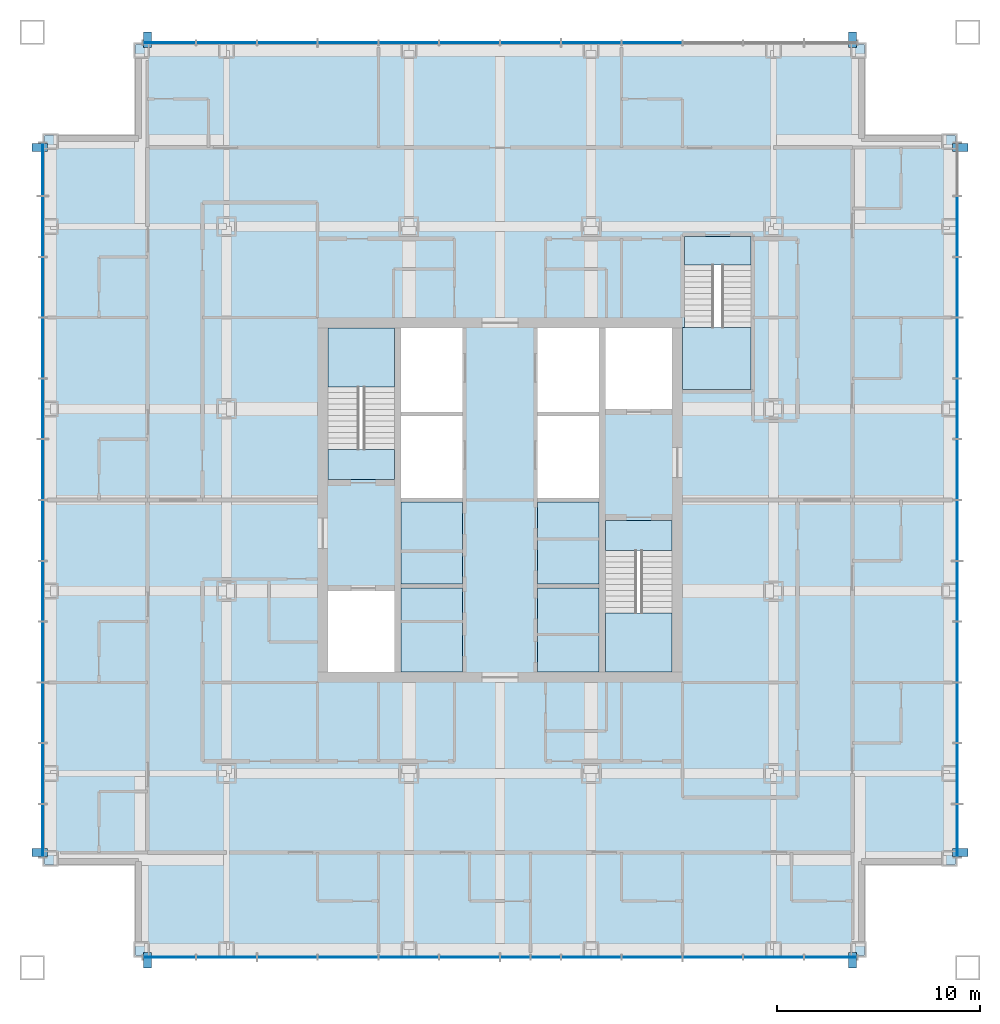
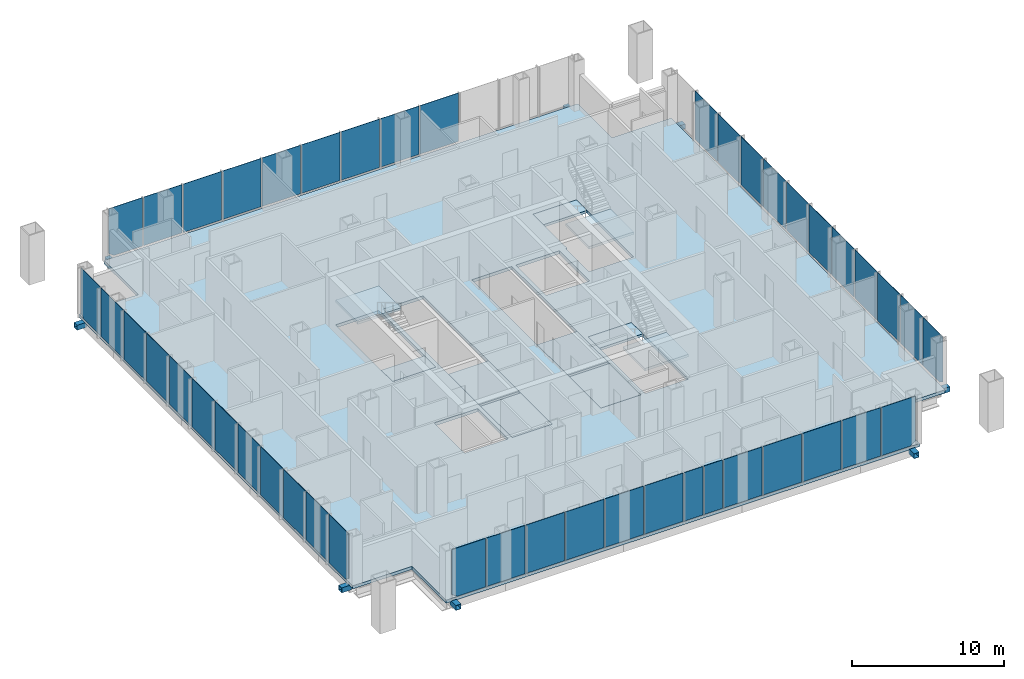
# One storey, part 5 of 11: 45 plates, 11 slabs, 8 members, 7 elements without a shape of their own.
"""IFC4 building model written with IfcOpenShell, lengths in metres."""

from ifc_helpers import new_model, si_unit, direction, frame, origin, origin_2d, place, context, subcontext, project, spatial, polyline, rectangle, hollow_rectangle, outline, extrude, material, layer, layer_set, material_profile, profile_set, type_object, element, aggregate, save


model = new_model("IFC4")

# Units and contexts
model_context = context("Model", 3, precision=1e-05, world=origin(), true_north=direction((0.0, 1.0)))
body_context = subcontext(model_context, "Body", "Model", "MODEL_VIEW")
ifc_project = project(units=[si_unit("LENGTHUNIT", "METRE"), si_unit("AREAUNIT", "SQUARE_METRE"), si_unit("VOLUMEUNIT", "CUBIC_METRE"), si_unit("PLANEANGLEUNIT", "RADIAN"), si_unit("MASSUNIT", "GRAM", prefix="KILO")], contexts=[model_context])

# Site, building, storey
site_placement = place(None, origin())
site = spatial("IfcSite", under=ifc_project, at=site_placement, CompositionType="ELEMENT")
building_placement = place(site_placement, origin())
building = spatial("IfcBuilding", under=site, at=building_placement, Name="Malebo Sky Hospital", CompositionType="ELEMENT")
storey_placement = place(building_placement, frame((0.0, 0.0, 205.0)))
storey = spatial("IfcBuildingStorey", under=building, at=storey_placement, Name="L49", CompositionType="ELEMENT", Elevation=205.0)

# Members
ifc_material_1 = material(Name="Steel S355", Category="steel")
ifc_material_profile = material_profile(ifc_material_1, hollow_rectangle(XDim=0.39990234375, YDim=0.39990234375, WallThickness=0.02001953125, at=origin_2d()), Name="SHS 400x20")
ifc_profile_set = profile_set([ifc_material_profile], Name="Steel S355")
member_type = type_object("IfcMemberType", Name="BRACE STRUT SHS 400x20", PredefinedType="STRUT", material=ifc_profile_set)
for number, where, z_axis, x_axis, name in (
    (1, (77.405029296875, 38.89990234375, -0.39990234375), (0.0, 1.0, 0.0), (-1.0, 0.0, 0.0), "Brace strut CS1 L49"),
    (2, (42.594970703125, 38.89990234375, -0.39990234375), (0.0, 1.0, 0.0), (-1.0, 0.0, 0.0), "Brace strut CS2 L49"),
    (3, (42.594970703125, 85.10009765625, -0.39990234375), (0.0, -1.0, 0.0), (1.0, 0.0, 0.0), "Brace strut CN1 L49"),
    (4, (77.405029296875, 85.10009765625, -0.39990234375), (0.0, -1.0, 0.0), (1.0, 0.0, 0.0), "Brace strut CN2 L49"),
    (5, (83.10009765625, 79.405029296875, -0.39990234375), (-1.0, 0.0, 0.0), (0.0, -1.0, 0.0), "Brace strut CE1 L49"),
    (6, (83.10009765625, 44.594970703125, -0.39990234375), (-1.0, 0.0, 0.0), (0.0, -1.0, 0.0), "Brace strut CE2 L49"),
    (7, (36.89990234375, 44.594970703125, -0.39990234375), (1.0, 0.0, 0.0), (0.0, 1.0, 0.0), "Brace strut CW1 L49"),
    (8, (36.89990234375, 79.405029296875, -0.39990234375), (1.0, 0.0, 0.0), (0.0, 1.0, 0.0), "Brace strut CW2 L49"),
):
    element("IfcMember", number, at=place(storey_placement, frame(where, z_axis=z_axis, x_axis=x_axis)), inside=storey, type_object=member_type, Name=name, PredefinedType="STRUT", context=body_context, shape_type="SweptSolid", body=[
        extrude(hollow_rectangle(XDim=0.39990234375, YDim=0.39990234375, WallThickness=0.02001953125, at=origin_2d()), origin(), (0.0, 0.0, 1.0), 0.75),
    ])

# Slabs
ifc_material_2 = material(Name="Concrete C40/50", Category="concrete")
ifc_layer_1 = layer(ifc_material_2, 0.25)
ifc_layer_set_1 = layer_set([ifc_layer_1], Name="COMPOSITE FLOOR SLAB 250")
slab_type_1 = type_object("IfcSlabType", Name="COMPOSITE FLOOR SLAB 250", PredefinedType="FLOOR", material=ifc_layer_set_1)
slab_1_placement = place(storey_placement, frame((0.0, 0.0, -0.25)))
element("IfcSlab", 9, at=slab_1_placement, inside=storey, type_object=slab_type_1, Name="Floor slab L49", PredefinedType="FLOOR", context=body_context, shape_type="SweptSolid", body=[
    extrude(outline(polyline([(42.0, 84.5), (42.0, 80.0), (37.5, 80.0), (37.5, 44.0), (42.0, 44.0), (42.0, 39.5), (78.0, 39.5), (78.0, 44.0), (82.5, 44.0), (82.5, 80.0), (78.0, 80.0), (78.0, 84.5), (42.0, 84.5)]), holes=[polyline([(55.10009765625, 70.5), (58.14990234375, 70.5), (58.14990234375, 53.5), (55.10009765625, 53.5), (55.10009765625, 70.5)]), polyline([(64.89990234375, 70.5), (64.89990234375, 53.5), (61.85009765625, 53.5), (61.85009765625, 70.5), (64.89990234375, 70.5)]), polyline([(54.800048828125, 63.0), (51.5, 63.0), (51.5, 70.5), (54.800048828125, 70.5), (54.800048828125, 63.0)]), polyline([(51.5, 53.5), (51.5, 57.5), (54.800048828125, 57.5), (54.800048828125, 53.5), (51.5, 53.5)]), polyline([(65.199951171875, 61.0), (68.5, 61.0), (68.5, 53.5), (65.199951171875, 53.5), (65.199951171875, 61.0)]), polyline([(68.5, 70.5), (68.5, 66.5), (65.199951171875, 66.5), (65.199951171875, 70.5), (68.5, 70.5)]), polyline([(69.0, 67.449951171875), (69.0, 70.52001953125), (69.10009765625, 70.52001953125), (69.10009765625, 75.0), (72.39990234375, 75.0), (72.39990234375, 67.449951171875), (69.10009765625, 67.449951171875), (69.0, 67.449951171875)])]), origin(), (0.0, 0.0, 1.0), 0.25),
])
ifc_layer_2 = layer(ifc_material_2, 0.25)
ifc_layer_set_2 = layer_set([ifc_layer_2], Name="SHAFT INFILL SLAB 250")
slab_type_2 = type_object("IfcSlabType", Name="SHAFT INFILL SLAB 250", PredefinedType="FLOOR", material=ifc_layer_set_2)
slab_2_placement = place(storey_placement, frame((0.0, 0.0, -0.25)))
element("IfcSlab", 10, at=slab_2_placement, inside=storey, type_object=slab_type_2, Name="Shaft infill slab W1 L49", PredefinedType="FLOOR", context=body_context, shape_type="SweptSolid", body=[
    extrude(outline(polyline([(55.10009765625, 53.5), (58.14990234375, 53.5), (58.14990234375, 57.64990234375), (55.10009765625, 57.64990234375), (55.10009765625, 53.5)])), origin(), (0.0, 0.0, 1.0), 0.25),
])
slab_3_placement = place(storey_placement, frame((0.0, 0.0, -0.25)))
element("IfcSlab", 11, at=slab_3_placement, inside=storey, type_object=slab_type_2, Name="Shaft infill slab W2 L49", PredefinedType="FLOOR", context=body_context, shape_type="SweptSolid", body=[
    extrude(outline(polyline([(55.10009765625, 57.85009765625), (58.14990234375, 57.85009765625), (58.14990234375, 61.89990234375), (55.10009765625, 61.89990234375), (55.10009765625, 57.85009765625)])), origin(), (0.0, 0.0, 1.0), 0.25),
])
slab_4_placement = place(storey_placement, frame((0.0, 0.0, -0.25)))
element("IfcSlab", 12, at=slab_4_placement, inside=storey, type_object=slab_type_2, Name="Shaft infill slab E1 L49", PredefinedType="FLOOR", context=body_context, shape_type="SweptSolid", body=[
    extrude(outline(polyline([(61.85009765625, 53.5), (64.89990234375, 53.5), (64.89990234375, 57.64990234375), (61.85009765625, 57.64990234375), (61.85009765625, 53.5)])), origin(), (0.0, 0.0, 1.0), 0.25),
])
slab_5_placement = place(storey_placement, frame((0.0, 0.0, -0.25)))
element("IfcSlab", 13, at=slab_5_placement, inside=storey, type_object=slab_type_2, Name="Shaft infill slab E2 L49", PredefinedType="FLOOR", context=body_context, shape_type="SweptSolid", body=[
    extrude(outline(polyline([(61.85009765625, 57.85009765625), (64.89990234375, 57.85009765625), (64.89990234375, 61.89990234375), (61.85009765625, 61.89990234375), (61.85009765625, 57.85009765625)])), origin(), (0.0, 0.0, 1.0), 0.25),
])

# Stair, slabs
stair_type_1 = type_object("IfcStairType", Name="HALF-TURN STAIR 1500 R167", PredefinedType="HALF_TURN_STAIR", material=ifc_material_2)
stair_1_placement = place(storey_placement, origin())
stair_1 = element("IfcStair", 14, at=stair_1_placement, inside=storey, type_object=stair_type_1, Name="Stair S1 L49 type ST1", PredefinedType="HALF_TURN_STAIR")
ifc_layer_3 = layer(ifc_material_2, 0.199951171875)
ifc_layer_set_3 = layer_set([ifc_layer_3], Name="STAIR LANDING 200")
slab_type_3 = type_object("IfcSlabType", Name="STAIR LANDING 200", PredefinedType="LANDING", material=ifc_layer_set_3)
slab_6_placement = place(storey_placement, frame((0.0, 0.0, -0.199951171875)))
slab_6 = element("IfcSlab", 15, at=slab_6_placement, type_object=slab_type_3, Name="S1 landing 1", PredefinedType="LANDING", context=body_context, shape_type="SweptSolid", body=[
    extrude(outline(polyline([(51.5, 63.0), (54.800048828125, 63.0), (54.800048828125, 64.5), (51.5, 64.5), (51.5, 63.0)])), origin(), (0.0, 0.0, 1.0), 0.199951171875),
])
slab_7_placement = place(storey_placement, frame((0.0, 0.0, 1.800048828125)))
slab_7 = element("IfcSlab", 16, at=slab_7_placement, type_object=slab_type_3, Name="S1 landing 2", PredefinedType="LANDING", context=body_context, shape_type="SweptSolid", body=[
    extrude(outline(polyline([(51.5, 67.580078125), (54.800048828125, 67.580078125), (54.800048828125, 70.5), (51.5, 70.5), (51.5, 67.580078125)])), origin(), (0.0, 0.0, 1.0), 0.199951171875),
])
aggregate(stair_1, [slab_6, slab_7])

stair_2_placement = place(storey_placement, origin())
stair_2 = element("IfcStair", 17, at=stair_2_placement, inside=storey, type_object=stair_type_1, Name="Stair S2 L49 type ST1", PredefinedType="HALF_TURN_STAIR")
slab_8_placement = place(storey_placement, frame((0.0, 0.0, -0.199951171875)))
slab_8 = element("IfcSlab", 18, at=slab_8_placement, type_object=slab_type_3, Name="S2 landing 1", PredefinedType="LANDING", context=body_context, shape_type="SweptSolid", body=[
    extrude(outline(polyline([(65.199951171875, 59.5), (68.5, 59.5), (68.5, 61.0), (65.199951171875, 61.0), (65.199951171875, 59.5)])), origin(), (0.0, 0.0, 1.0), 0.199951171875),
])
slab_9_placement = place(storey_placement, frame((0.0, 0.0, 1.800048828125)))
slab_9 = element("IfcSlab", 19, at=slab_9_placement, type_object=slab_type_3, Name="S2 landing 2", PredefinedType="LANDING", context=body_context, shape_type="SweptSolid", body=[
    extrude(outline(polyline([(65.199951171875, 53.5), (68.5, 53.5), (68.5, 56.419921875), (65.199951171875, 56.419921875), (65.199951171875, 53.5)])), origin(), (0.0, 0.0, 1.0), 0.199951171875),
])
aggregate(stair_2, [slab_8, slab_9])

stair_type_2 = type_object("IfcStairType", Name="HALF-TURN STAIR 1400 R167", PredefinedType="HALF_TURN_STAIR", material=ifc_material_2)
stair_3_placement = place(storey_placement, origin())
stair_3 = element("IfcStair", 20, at=stair_3_placement, inside=storey, type_object=stair_type_2, Name="Stair S3 L49 type ST1B", PredefinedType="HALF_TURN_STAIR")
slab_10_placement = place(storey_placement, frame((0.0, 0.0, -0.199951171875)))
slab_10 = element("IfcSlab", 21, at=slab_10_placement, type_object=slab_type_3, Name="S3 landing 1", PredefinedType="LANDING", context=body_context, shape_type="SweptSolid", body=[
    extrude(outline(polyline([(69.10009765625, 73.60009765625), (72.39990234375, 73.60009765625), (72.39990234375, 75.0), (69.10009765625, 75.0), (69.10009765625, 73.60009765625)])), origin(), (0.0, 0.0, 1.0), 0.199951171875),
])
slab_11_placement = place(storey_placement, frame((0.0, 0.0, 1.800048828125)))
slab_11 = element("IfcSlab", 22, at=slab_11_placement, type_object=slab_type_3, Name="S3 landing 2", PredefinedType="LANDING", context=body_context, shape_type="SweptSolid", body=[
    extrude(outline(polyline([(69.0, 67.449951171875), (72.39990234375, 67.449951171875), (72.39990234375, 70.52001953125), (69.0, 70.52001953125), (69.0, 67.449951171875)])), origin(), (0.0, 0.0, 1.0), 0.199951171875),
])
aggregate(stair_3, [slab_10, slab_11])

# Curtain wall, plates
ifc_material_3 = material(Name="Anodised aluminium, natural silver", Category="aluminium")
ifc_layer_4 = layer(ifc_material_3, 0.25)
ifc_layer_set_4 = layer_set([ifc_layer_4], Name="WARD CURTAIN WALL NORTH AND SOUTH")
curtain_wall_type_1 = type_object("IfcCurtainWallType", Name="WARD CURTAIN WALL NORTH AND SOUTH", PredefinedType="NOTDEFINED", material=ifc_layer_set_4)
curtain_wall_1_placement = place(storey_placement, origin())
curtain_wall_1 = element("IfcCurtainWall", 23, at=curtain_wall_1_placement, inside=storey, type_object=curtain_wall_type_1, Name="NS curtain wall N", PredefinedType="NOTDEFINED")
ifc_material_4 = material(Name="Clear low-iron double glazing", Category="glass")
ifc_layer_5 = layer(ifc_material_4, 0.031982421875)
ifc_layer_set_5 = layer_set([ifc_layer_5], Name="VISION PANEL CLEAR 32")
plate_type = type_object("IfcPlateType", Name="VISION PANEL CLEAR 32", PredefinedType="CURTAIN_PANEL", material=ifc_layer_set_5)
plate_1_placement = place(storey_placement, frame((43.668701171875, 84.574951171875, 0.10009765625), z_axis=(0.0, 0.0, 1.0), x_axis=(1.0, 0.0, 0.0)))
plate_1 = element("IfcPlate", 24, at=plate_1_placement, type_object=plate_type, Name="Panel 1", PredefinedType="CURTAIN_PANEL", context=body_context, shape_type="SweptSolid", body=[
    extrude(outline(polyline([(-0.871337890625, 0.0), (1.293701171875, 0.0), (1.293701171875, 3.889892578125), (-1.293701171875, 3.889892578125), (-1.293701171875, 0.296630859375), (-0.871337890625, 0.0)])), frame((0.0, 0.01611328125, 0.0), z_axis=(0.0, -1.0, 0.0), x_axis=(1.0, 0.0, 0.0)), (0.0, 0.0, 1.0), 0.031982421875),
])
plate_2_placement = place(storey_placement, frame((46.5, 84.574951171875, 0.10009765625), z_axis=(0.0, 0.0, 1.0), x_axis=(1.0, 0.0, 0.0)))
plate_2 = element("IfcPlate", 25, at=plate_2_placement, type_object=plate_type, Name="Panel 2", PredefinedType="CURTAIN_PANEL", context=body_context, shape_type="SweptSolid", body=[
    extrude(rectangle(XDim=2.925048828125, YDim=0.031982421875, at=origin_2d()), origin(), (0.0, 0.0, 1.0), 3.889892578125),
])
plate_3_placement = place(storey_placement, frame((49.5, 84.574951171875, 0.10009765625), z_axis=(0.0, 0.0, 1.0), x_axis=(1.0, 0.0, 0.0)))
plate_3 = element("IfcPlate", 26, at=plate_3_placement, type_object=plate_type, Name="Panel 3", PredefinedType="CURTAIN_PANEL", context=body_context, shape_type="SweptSolid", body=[
    extrude(rectangle(XDim=2.925048828125, YDim=0.031982421875, at=origin_2d()), origin(), (0.0, 0.0, 1.0), 3.889892578125),
])
plate_4_placement = place(storey_placement, frame((52.5, 84.574951171875, 0.10009765625), z_axis=(0.0, 0.0, 1.0), x_axis=(1.0, 0.0, 0.0)))
plate_4 = element("IfcPlate", 27, at=plate_4_placement, type_object=plate_type, Name="Panel 4", PredefinedType="CURTAIN_PANEL", context=body_context, shape_type="SweptSolid", body=[
    extrude(rectangle(XDim=2.925048828125, YDim=0.031982421875, at=origin_2d()), origin(), (0.0, 0.0, 1.0), 3.889892578125),
])
plate_5_placement = place(storey_placement, frame((55.5, 84.574951171875, 0.10009765625), z_axis=(0.0, 0.0, 1.0), x_axis=(1.0, 0.0, 0.0)))
plate_5 = element("IfcPlate", 28, at=plate_5_placement, type_object=plate_type, Name="Panel 5", PredefinedType="CURTAIN_PANEL", context=body_context, shape_type="SweptSolid", body=[
    extrude(rectangle(XDim=2.925048828125, YDim=0.031982421875, at=origin_2d()), origin(), (0.0, 0.0, 1.0), 3.889892578125),
])
plate_6_placement = place(storey_placement, frame((58.5, 84.574951171875, 0.10009765625), z_axis=(0.0, 0.0, 1.0), x_axis=(1.0, 0.0, 0.0)))
plate_6 = element("IfcPlate", 29, at=plate_6_placement, type_object=plate_type, Name="Panel 6", PredefinedType="CURTAIN_PANEL", context=body_context, shape_type="SweptSolid", body=[
    extrude(rectangle(XDim=2.925048828125, YDim=0.031982421875, at=origin_2d()), origin(), (0.0, 0.0, 1.0), 3.889892578125),
])
plate_7_placement = place(storey_placement, frame((61.5, 84.574951171875, 0.10009765625), z_axis=(0.0, 0.0, 1.0), x_axis=(1.0, 0.0, 0.0)))
plate_7 = element("IfcPlate", 30, at=plate_7_placement, type_object=plate_type, Name="Panel 7", PredefinedType="CURTAIN_PANEL", context=body_context, shape_type="SweptSolid", body=[
    extrude(rectangle(XDim=2.925048828125, YDim=0.031982421875, at=origin_2d()), origin(), (0.0, 0.0, 1.0), 3.889892578125),
])
plate_8_placement = place(storey_placement, frame((64.5, 84.574951171875, 0.10009765625), z_axis=(0.0, 0.0, 1.0), x_axis=(1.0, 0.0, 0.0)))
plate_8 = element("IfcPlate", 31, at=plate_8_placement, type_object=plate_type, Name="Panel 8", PredefinedType="CURTAIN_PANEL", context=body_context, shape_type="SweptSolid", body=[
    extrude(rectangle(XDim=2.925048828125, YDim=0.031982421875, at=origin_2d()), origin(), (0.0, 0.0, 1.0), 3.889892578125),
])
plate_9_placement = place(storey_placement, frame((67.5, 84.574951171875, 0.10009765625), z_axis=(0.0, 0.0, 1.0), x_axis=(1.0, 0.0, 0.0)))
plate_9 = element("IfcPlate", 32, at=plate_9_placement, type_object=plate_type, Name="Panel 9", PredefinedType="CURTAIN_PANEL", context=body_context, shape_type="SweptSolid", body=[
    extrude(rectangle(XDim=2.925048828125, YDim=0.031982421875, at=origin_2d()), origin(), (0.0, 0.0, 1.0), 3.889892578125),
])
aggregate(curtain_wall_1, [plate_1, plate_2, plate_3, plate_4, plate_5, plate_6, plate_7, plate_8, plate_9])

ifc_layer_6 = layer(ifc_material_3, 0.25)
ifc_layer_set_6 = layer_set([ifc_layer_6], Name="WARD CURTAIN WALL EAST AND WEST")
curtain_wall_type_2 = type_object("IfcCurtainWallType", Name="WARD CURTAIN WALL EAST AND WEST", PredefinedType="NOTDEFINED", material=ifc_layer_set_6)
curtain_wall_2_placement = place(storey_placement, origin())
curtain_wall_2 = element("IfcCurtainWall", 33, at=curtain_wall_2_placement, inside=storey, type_object=curtain_wall_type_2, Name="EW curtain wall W", PredefinedType="NOTDEFINED")
plate_10_placement = place(storey_placement, frame((37.425048828125, 45.668701171875, 0.10009765625), z_axis=(0.0, 0.0, 1.0), x_axis=(0.0, 1.0, 0.0)))
plate_10 = element("IfcPlate", 34, at=plate_10_placement, type_object=plate_type, Name="Panel 1", PredefinedType="CURTAIN_PANEL", context=body_context, shape_type="SweptSolid", body=[
    extrude(outline(polyline([(-0.871337890625, 0.0), (1.293701171875, 0.0), (1.293701171875, 3.889892578125), (-1.293701171875, 3.889892578125), (-1.293701171875, 0.296630859375), (-0.871337890625, 0.0)])), frame((0.0, 0.01611328125, 0.0), z_axis=(0.0, -1.0, 0.0), x_axis=(1.0, 0.0, 0.0)), (0.0, 0.0, 1.0), 0.031982421875),
])
plate_11_placement = place(storey_placement, frame((37.425048828125, 48.5, 0.10009765625), z_axis=(0.0, 0.0, 1.0), x_axis=(0.0, 1.0, 0.0)))
plate_11 = element("IfcPlate", 35, at=plate_11_placement, type_object=plate_type, Name="Panel 2", PredefinedType="CURTAIN_PANEL", context=body_context, shape_type="SweptSolid", body=[
    extrude(rectangle(XDim=2.925048828125, YDim=0.031982421875, at=origin_2d()), origin(), (0.0, 0.0, 1.0), 3.889892578125),
])
plate_12_placement = place(storey_placement, frame((37.425048828125, 51.5, 0.10009765625), z_axis=(0.0, 0.0, 1.0), x_axis=(0.0, 1.0, 0.0)))
plate_12 = element("IfcPlate", 36, at=plate_12_placement, type_object=plate_type, Name="Panel 3", PredefinedType="CURTAIN_PANEL", context=body_context, shape_type="SweptSolid", body=[
    extrude(rectangle(XDim=2.925048828125, YDim=0.031982421875, at=origin_2d()), origin(), (0.0, 0.0, 1.0), 3.889892578125),
])
plate_13_placement = place(storey_placement, frame((37.425048828125, 54.5, 0.10009765625), z_axis=(0.0, 0.0, 1.0), x_axis=(0.0, 1.0, 0.0)))
plate_13 = element("IfcPlate", 37, at=plate_13_placement, type_object=plate_type, Name="Panel 4", PredefinedType="CURTAIN_PANEL", context=body_context, shape_type="SweptSolid", body=[
    extrude(rectangle(XDim=2.925048828125, YDim=0.031982421875, at=origin_2d()), origin(), (0.0, 0.0, 1.0), 3.889892578125),
])
plate_14_placement = place(storey_placement, frame((37.425048828125, 57.5, 0.10009765625), z_axis=(0.0, 0.0, 1.0), x_axis=(0.0, 1.0, 0.0)))
plate_14 = element("IfcPlate", 38, at=plate_14_placement, type_object=plate_type, Name="Panel 5", PredefinedType="CURTAIN_PANEL", context=body_context, shape_type="SweptSolid", body=[
    extrude(rectangle(XDim=2.925048828125, YDim=0.031982421875, at=origin_2d()), origin(), (0.0, 0.0, 1.0), 3.889892578125),
])
plate_15_placement = place(storey_placement, frame((37.425048828125, 60.5, 0.10009765625), z_axis=(0.0, 0.0, 1.0), x_axis=(0.0, 1.0, 0.0)))
plate_15 = element("IfcPlate", 39, at=plate_15_placement, type_object=plate_type, Name="Panel 6", PredefinedType="CURTAIN_PANEL", context=body_context, shape_type="SweptSolid", body=[
    extrude(rectangle(XDim=2.925048828125, YDim=0.031982421875, at=origin_2d()), origin(), (0.0, 0.0, 1.0), 3.889892578125),
])
plate_16_placement = place(storey_placement, frame((37.425048828125, 63.5, 0.10009765625), z_axis=(0.0, 0.0, 1.0), x_axis=(0.0, 1.0, 0.0)))
plate_16 = element("IfcPlate", 40, at=plate_16_placement, type_object=plate_type, Name="Panel 7", PredefinedType="CURTAIN_PANEL", context=body_context, shape_type="SweptSolid", body=[
    extrude(rectangle(XDim=2.925048828125, YDim=0.031982421875, at=origin_2d()), origin(), (0.0, 0.0, 1.0), 3.889892578125),
])
plate_17_placement = place(storey_placement, frame((37.425048828125, 66.5, 0.10009765625), z_axis=(0.0, 0.0, 1.0), x_axis=(0.0, 1.0, 0.0)))
plate_17 = element("IfcPlate", 41, at=plate_17_placement, type_object=plate_type, Name="Panel 8", PredefinedType="CURTAIN_PANEL", context=body_context, shape_type="SweptSolid", body=[
    extrude(rectangle(XDim=2.925048828125, YDim=0.031982421875, at=origin_2d()), origin(), (0.0, 0.0, 1.0), 3.889892578125),
])
plate_18_placement = place(storey_placement, frame((37.425048828125, 69.5, 0.10009765625), z_axis=(0.0, 0.0, 1.0), x_axis=(0.0, 1.0, 0.0)))
plate_18 = element("IfcPlate", 42, at=plate_18_placement, type_object=plate_type, Name="Panel 9", PredefinedType="CURTAIN_PANEL", context=body_context, shape_type="SweptSolid", body=[
    extrude(rectangle(XDim=2.925048828125, YDim=0.031982421875, at=origin_2d()), origin(), (0.0, 0.0, 1.0), 3.889892578125),
])
plate_19_placement = place(storey_placement, frame((37.425048828125, 72.5, 0.10009765625), z_axis=(0.0, 0.0, 1.0), x_axis=(0.0, 1.0, 0.0)))
plate_19 = element("IfcPlate", 43, at=plate_19_placement, type_object=plate_type, Name="Panel 10", PredefinedType="CURTAIN_PANEL", context=body_context, shape_type="SweptSolid", body=[
    extrude(rectangle(XDim=2.925048828125, YDim=0.031982421875, at=origin_2d()), origin(), (0.0, 0.0, 1.0), 3.889892578125),
])
plate_20_placement = place(storey_placement, frame((37.425048828125, 75.5, 0.10009765625), z_axis=(0.0, 0.0, 1.0), x_axis=(0.0, 1.0, 0.0)))
plate_20 = element("IfcPlate", 44, at=plate_20_placement, type_object=plate_type, Name="Panel 11", PredefinedType="CURTAIN_PANEL", context=body_context, shape_type="SweptSolid", body=[
    extrude(rectangle(XDim=2.925048828125, YDim=0.031982421875, at=origin_2d()), origin(), (0.0, 0.0, 1.0), 3.889892578125),
])
plate_21_placement = place(storey_placement, frame((37.425048828125, 78.331298828125, 0.10009765625), z_axis=(0.0, 0.0, 1.0), x_axis=(0.0, 1.0, 0.0)))
plate_21 = element("IfcPlate", 45, at=plate_21_placement, type_object=plate_type, Name="Panel 12", PredefinedType="CURTAIN_PANEL", context=body_context, shape_type="SweptSolid", body=[
    extrude(outline(polyline([(-1.293701171875, 0.0), (0.871337890625, 0.0), (1.293701171875, 0.296630859375), (1.293701171875, 3.889892578125), (-1.293701171875, 3.889892578125), (-1.293701171875, 0.0)])), frame((0.0, 0.01611328125, 0.0), z_axis=(0.0, -1.0, 0.0), x_axis=(1.0, 0.0, 0.0)), (0.0, 0.0, 1.0), 0.031982421875),
])
aggregate(curtain_wall_2, [plate_10, plate_11, plate_12, plate_13, plate_14, plate_15, plate_16, plate_17, plate_18, plate_19, plate_20, plate_21])

curtain_wall_3_placement = place(storey_placement, origin())
curtain_wall_3 = element("IfcCurtainWall", 46, at=curtain_wall_3_placement, inside=storey, type_object=curtain_wall_type_1, Name="NS curtain wall S", PredefinedType="NOTDEFINED")
plate_22_placement = place(storey_placement, frame((76.331298828125, 39.425048828125, 0.10009765625), z_axis=(0.0, 0.0, 1.0), x_axis=(-1.0, 0.0, 0.0)))
plate_22 = element("IfcPlate", 47, at=plate_22_placement, type_object=plate_type, Name="Panel 1", PredefinedType="CURTAIN_PANEL", context=body_context, shape_type="SweptSolid", body=[
    extrude(outline(polyline([(-0.871337890625, 0.0), (1.293701171875, 0.0), (1.293701171875, 3.889892578125), (-1.293701171875, 3.889892578125), (-1.293701171875, 0.296630859375), (-0.871337890625, 0.0)])), frame((0.0, 0.01611328125, 0.0), z_axis=(0.0, -1.0, 0.0), x_axis=(1.0, 0.0, 0.0)), (0.0, 0.0, 1.0), 0.031982421875),
])
plate_23_placement = place(storey_placement, frame((73.5, 39.425048828125, 0.10009765625), z_axis=(0.0, 0.0, 1.0), x_axis=(-1.0, 0.0, 0.0)))
plate_23 = element("IfcPlate", 48, at=plate_23_placement, type_object=plate_type, Name="Panel 2", PredefinedType="CURTAIN_PANEL", context=body_context, shape_type="SweptSolid", body=[
    extrude(rectangle(XDim=2.925048828125, YDim=0.031982421875, at=origin_2d()), origin(), (0.0, 0.0, 1.0), 3.889892578125),
])
plate_24_placement = place(storey_placement, frame((70.5, 39.425048828125, 0.10009765625), z_axis=(0.0, 0.0, 1.0), x_axis=(-1.0, 0.0, 0.0)))
plate_24 = element("IfcPlate", 49, at=plate_24_placement, type_object=plate_type, Name="Panel 3", PredefinedType="CURTAIN_PANEL", context=body_context, shape_type="SweptSolid", body=[
    extrude(rectangle(XDim=2.925048828125, YDim=0.031982421875, at=origin_2d()), origin(), (0.0, 0.0, 1.0), 3.889892578125),
])
plate_25_placement = place(storey_placement, frame((67.5, 39.425048828125, 0.10009765625), z_axis=(0.0, 0.0, 1.0), x_axis=(-1.0, 0.0, 0.0)))
plate_25 = element("IfcPlate", 50, at=plate_25_placement, type_object=plate_type, Name="Panel 4", PredefinedType="CURTAIN_PANEL", context=body_context, shape_type="SweptSolid", body=[
    extrude(rectangle(XDim=2.925048828125, YDim=0.031982421875, at=origin_2d()), origin(), (0.0, 0.0, 1.0), 3.889892578125),
])
plate_26_placement = place(storey_placement, frame((64.5, 39.425048828125, 0.10009765625), z_axis=(0.0, 0.0, 1.0), x_axis=(-1.0, 0.0, 0.0)))
plate_26 = element("IfcPlate", 51, at=plate_26_placement, type_object=plate_type, Name="Panel 5", PredefinedType="CURTAIN_PANEL", context=body_context, shape_type="SweptSolid", body=[
    extrude(rectangle(XDim=2.925048828125, YDim=0.031982421875, at=origin_2d()), origin(), (0.0, 0.0, 1.0), 3.889892578125),
])
plate_27_placement = place(storey_placement, frame((62.25, 39.425048828125, 0.10009765625), z_axis=(0.0, 0.0, 1.0), x_axis=(-1.0, 0.0, 0.0)))
plate_27 = element("IfcPlate", 52, at=plate_27_placement, type_object=plate_type, Name="Panel 6", PredefinedType="CURTAIN_PANEL", context=body_context, shape_type="SweptSolid", body=[
    extrude(rectangle(XDim=1.425048828125, YDim=0.031982421875, at=origin_2d()), origin(), (0.0, 0.0, 1.0), 3.889892578125),
])
plate_28_placement = place(storey_placement, frame((60.75, 39.425048828125, 0.10009765625), z_axis=(0.0, 0.0, 1.0), x_axis=(-1.0, 0.0, 0.0)))
plate_28 = element("IfcPlate", 53, at=plate_28_placement, type_object=plate_type, Name="Panel 7", PredefinedType="CURTAIN_PANEL", context=body_context, shape_type="SweptSolid", body=[
    extrude(rectangle(XDim=1.425048828125, YDim=0.031982421875, at=origin_2d()), origin(), (0.0, 0.0, 1.0), 3.889892578125),
])
plate_29_placement = place(storey_placement, frame((58.5, 39.425048828125, 0.10009765625), z_axis=(0.0, 0.0, 1.0), x_axis=(-1.0, 0.0, 0.0)))
plate_29 = element("IfcPlate", 54, at=plate_29_placement, type_object=plate_type, Name="Panel 8", PredefinedType="CURTAIN_PANEL", context=body_context, shape_type="SweptSolid", body=[
    extrude(rectangle(XDim=2.925048828125, YDim=0.031982421875, at=origin_2d()), origin(), (0.0, 0.0, 1.0), 3.889892578125),
])
plate_30_placement = place(storey_placement, frame((55.5, 39.425048828125, 0.10009765625), z_axis=(0.0, 0.0, 1.0), x_axis=(-1.0, 0.0, 0.0)))
plate_30 = element("IfcPlate", 55, at=plate_30_placement, type_object=plate_type, Name="Panel 9", PredefinedType="CURTAIN_PANEL", context=body_context, shape_type="SweptSolid", body=[
    extrude(rectangle(XDim=2.925048828125, YDim=0.031982421875, at=origin_2d()), origin(), (0.0, 0.0, 1.0), 3.889892578125),
])
plate_31_placement = place(storey_placement, frame((52.5, 39.425048828125, 0.10009765625), z_axis=(0.0, 0.0, 1.0), x_axis=(-1.0, 0.0, 0.0)))
plate_31 = element("IfcPlate", 56, at=plate_31_placement, type_object=plate_type, Name="Panel 10", PredefinedType="CURTAIN_PANEL", context=body_context, shape_type="SweptSolid", body=[
    extrude(rectangle(XDim=2.925048828125, YDim=0.031982421875, at=origin_2d()), origin(), (0.0, 0.0, 1.0), 3.889892578125),
])
plate_32_placement = place(storey_placement, frame((49.5, 39.425048828125, 0.10009765625), z_axis=(0.0, 0.0, 1.0), x_axis=(-1.0, 0.0, 0.0)))
plate_32 = element("IfcPlate", 57, at=plate_32_placement, type_object=plate_type, Name="Panel 11", PredefinedType="CURTAIN_PANEL", context=body_context, shape_type="SweptSolid", body=[
    extrude(rectangle(XDim=2.925048828125, YDim=0.031982421875, at=origin_2d()), origin(), (0.0, 0.0, 1.0), 3.889892578125),
])
plate_33_placement = place(storey_placement, frame((46.5, 39.425048828125, 0.10009765625), z_axis=(0.0, 0.0, 1.0), x_axis=(-1.0, 0.0, 0.0)))
plate_33 = element("IfcPlate", 58, at=plate_33_placement, type_object=plate_type, Name="Panel 12", PredefinedType="CURTAIN_PANEL", context=body_context, shape_type="SweptSolid", body=[
    extrude(rectangle(XDim=2.925048828125, YDim=0.031982421875, at=origin_2d()), origin(), (0.0, 0.0, 1.0), 3.889892578125),
])
plate_34_placement = place(storey_placement, frame((43.668701171875, 39.425048828125, 0.10009765625), z_axis=(0.0, 0.0, 1.0), x_axis=(-1.0, 0.0, 0.0)))
plate_34 = element("IfcPlate", 59, at=plate_34_placement, type_object=plate_type, Name="Panel 13", PredefinedType="CURTAIN_PANEL", context=body_context, shape_type="SweptSolid", body=[
    extrude(outline(polyline([(-1.293701171875, 0.0), (0.871337890625, 0.0), (1.293701171875, 0.296630859375), (1.293701171875, 3.889892578125), (-1.293701171875, 3.889892578125), (-1.293701171875, 0.0)])), frame((0.0, 0.01611328125, 0.0), z_axis=(0.0, -1.0, 0.0), x_axis=(1.0, 0.0, 0.0)), (0.0, 0.0, 1.0), 0.031982421875),
])
aggregate(curtain_wall_3, [plate_22, plate_23, plate_24, plate_25, plate_26, plate_27, plate_28, plate_29, plate_30, plate_31, plate_32, plate_33, plate_34])

curtain_wall_4_placement = place(storey_placement, origin())
curtain_wall_4 = element("IfcCurtainWall", 60, at=curtain_wall_4_placement, inside=storey, type_object=curtain_wall_type_2, Name="EW curtain wall E", PredefinedType="NOTDEFINED")
plate_35_placement = place(storey_placement, frame((82.574951171875, 75.5, 0.10009765625), z_axis=(0.0, 0.0, 1.0), x_axis=(0.0, -1.0, 0.0)))
plate_35 = element("IfcPlate", 61, at=plate_35_placement, type_object=plate_type, Name="Panel 2", PredefinedType="CURTAIN_PANEL", context=body_context, shape_type="SweptSolid", body=[
    extrude(rectangle(XDim=2.925048828125, YDim=0.031982421875, at=origin_2d()), origin(), (0.0, 0.0, 1.0), 3.889892578125),
])
plate_36_placement = place(storey_placement, frame((82.574951171875, 72.5, 0.10009765625), z_axis=(0.0, 0.0, 1.0), x_axis=(0.0, -1.0, 0.0)))
plate_36 = element("IfcPlate", 62, at=plate_36_placement, type_object=plate_type, Name="Panel 3", PredefinedType="CURTAIN_PANEL", context=body_context, shape_type="SweptSolid", body=[
    extrude(rectangle(XDim=2.925048828125, YDim=0.031982421875, at=origin_2d()), origin(), (0.0, 0.0, 1.0), 3.889892578125),
])
plate_37_placement = place(storey_placement, frame((82.574951171875, 69.5, 0.10009765625), z_axis=(0.0, 0.0, 1.0), x_axis=(0.0, -1.0, 0.0)))
plate_37 = element("IfcPlate", 63, at=plate_37_placement, type_object=plate_type, Name="Panel 4", PredefinedType="CURTAIN_PANEL", context=body_context, shape_type="SweptSolid", body=[
    extrude(rectangle(XDim=2.925048828125, YDim=0.031982421875, at=origin_2d()), origin(), (0.0, 0.0, 1.0), 3.889892578125),
])
plate_38_placement = place(storey_placement, frame((82.574951171875, 66.5, 0.10009765625), z_axis=(0.0, 0.0, 1.0), x_axis=(0.0, -1.0, 0.0)))
plate_38 = element("IfcPlate", 64, at=plate_38_placement, type_object=plate_type, Name="Panel 5", PredefinedType="CURTAIN_PANEL", context=body_context, shape_type="SweptSolid", body=[
    extrude(rectangle(XDim=2.925048828125, YDim=0.031982421875, at=origin_2d()), origin(), (0.0, 0.0, 1.0), 3.889892578125),
])
plate_39_placement = place(storey_placement, frame((82.574951171875, 63.5, 0.10009765625), z_axis=(0.0, 0.0, 1.0), x_axis=(0.0, -1.0, 0.0)))
plate_39 = element("IfcPlate", 65, at=plate_39_placement, type_object=plate_type, Name="Panel 6", PredefinedType="CURTAIN_PANEL", context=body_context, shape_type="SweptSolid", body=[
    extrude(rectangle(XDim=2.925048828125, YDim=0.031982421875, at=origin_2d()), origin(), (0.0, 0.0, 1.0), 3.889892578125),
])
plate_40_placement = place(storey_placement, frame((82.574951171875, 60.5, 0.10009765625), z_axis=(0.0, 0.0, 1.0), x_axis=(0.0, -1.0, 0.0)))
plate_40 = element("IfcPlate", 66, at=plate_40_placement, type_object=plate_type, Name="Panel 7", PredefinedType="CURTAIN_PANEL", context=body_context, shape_type="SweptSolid", body=[
    extrude(rectangle(XDim=2.925048828125, YDim=0.031982421875, at=origin_2d()), origin(), (0.0, 0.0, 1.0), 3.889892578125),
])
plate_41_placement = place(storey_placement, frame((82.574951171875, 57.5, 0.10009765625), z_axis=(0.0, 0.0, 1.0), x_axis=(0.0, -1.0, 0.0)))
plate_41 = element("IfcPlate", 67, at=plate_41_placement, type_object=plate_type, Name="Panel 8", PredefinedType="CURTAIN_PANEL", context=body_context, shape_type="SweptSolid", body=[
    extrude(rectangle(XDim=2.925048828125, YDim=0.031982421875, at=origin_2d()), origin(), (0.0, 0.0, 1.0), 3.889892578125),
])
plate_42_placement = place(storey_placement, frame((82.574951171875, 54.5, 0.10009765625), z_axis=(0.0, 0.0, 1.0), x_axis=(0.0, -1.0, 0.0)))
plate_42 = element("IfcPlate", 68, at=plate_42_placement, type_object=plate_type, Name="Panel 9", PredefinedType="CURTAIN_PANEL", context=body_context, shape_type="SweptSolid", body=[
    extrude(rectangle(XDim=2.925048828125, YDim=0.031982421875, at=origin_2d()), origin(), (0.0, 0.0, 1.0), 3.889892578125),
])
plate_43_placement = place(storey_placement, frame((82.574951171875, 51.5, 0.10009765625), z_axis=(0.0, 0.0, 1.0), x_axis=(0.0, -1.0, 0.0)))
plate_43 = element("IfcPlate", 69, at=plate_43_placement, type_object=plate_type, Name="Panel 10", PredefinedType="CURTAIN_PANEL", context=body_context, shape_type="SweptSolid", body=[
    extrude(rectangle(XDim=2.925048828125, YDim=0.031982421875, at=origin_2d()), origin(), (0.0, 0.0, 1.0), 3.889892578125),
])
plate_44_placement = place(storey_placement, frame((82.574951171875, 48.5, 0.10009765625), z_axis=(0.0, 0.0, 1.0), x_axis=(0.0, -1.0, 0.0)))
plate_44 = element("IfcPlate", 70, at=plate_44_placement, type_object=plate_type, Name="Panel 11", PredefinedType="CURTAIN_PANEL", context=body_context, shape_type="SweptSolid", body=[
    extrude(rectangle(XDim=2.925048828125, YDim=0.031982421875, at=origin_2d()), origin(), (0.0, 0.0, 1.0), 3.889892578125),
])
plate_45_placement = place(storey_placement, frame((82.574951171875, 45.668701171875, 0.10009765625), z_axis=(0.0, 0.0, 1.0), x_axis=(0.0, -1.0, 0.0)))
plate_45 = element("IfcPlate", 71, at=plate_45_placement, type_object=plate_type, Name="Panel 12", PredefinedType="CURTAIN_PANEL", context=body_context, shape_type="SweptSolid", body=[
    extrude(outline(polyline([(-1.293701171875, 0.0), (0.871337890625, 0.0), (1.293701171875, 0.296630859375), (1.293701171875, 3.889892578125), (-1.293701171875, 3.889892578125), (-1.293701171875, 0.0)])), frame((0.0, 0.01611328125, 0.0), z_axis=(0.0, -1.0, 0.0), x_axis=(1.0, 0.0, 0.0)), (0.0, 0.0, 1.0), 0.031982421875),
])
aggregate(curtain_wall_4, [plate_35, plate_36, plate_37, plate_38, plate_39, plate_40, plate_41, plate_42, plate_43, plate_44, plate_45])

save(model, "model.ifc")
